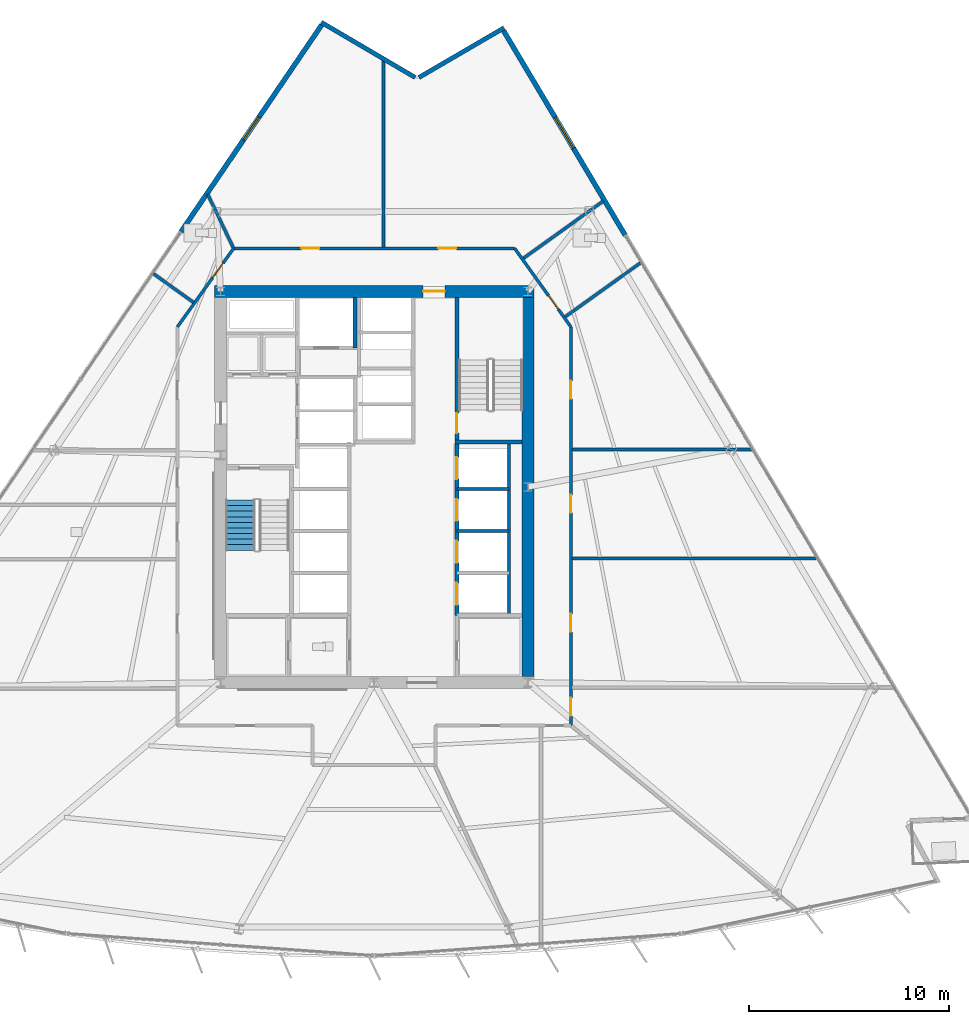
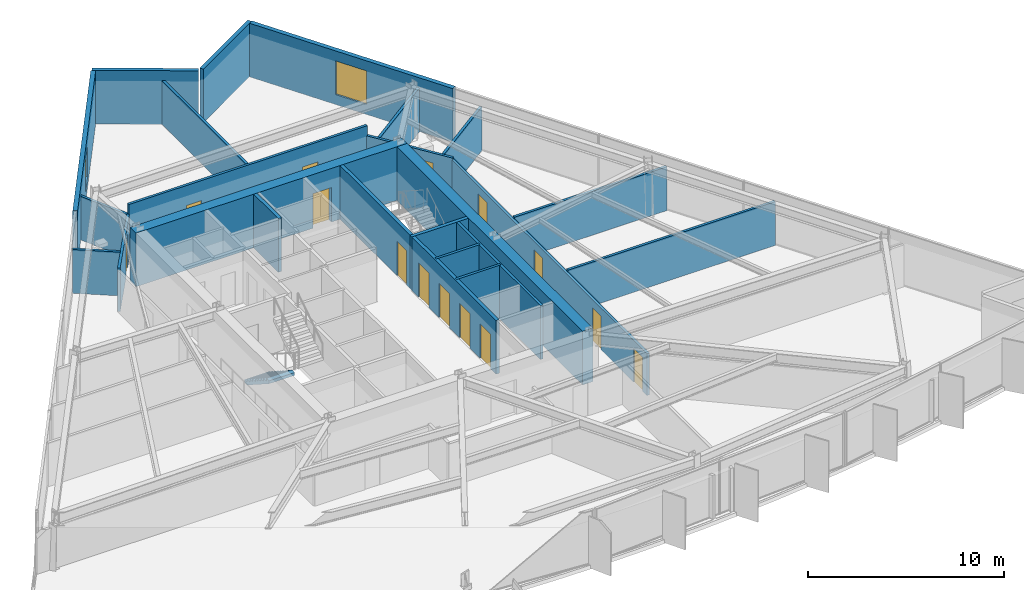
# One storey, part 10 of 16: 24 walls, 14 doors, 2 windows, 1 stair flight, 16 openings, 1 element without a shape of its own.
"""IFC4 building model written with IfcOpenShell, lengths in metres."""

from ifc_helpers import new_model, si_unit, direction, frame, frame_2d, origin, place, context, subcontext, project, spatial, polyline, rectangle, outline, extrude, material, layer, layer_set, type_object, element, fill, aggregate, save


model = new_model("IFC4")

# Units and contexts
model_context = context("Model", 3, precision=1e-05, world=origin(), true_north=direction((0.0, 1.0)))
body_context = subcontext(model_context, "Body", "Model", "MODEL_VIEW")
ifc_project = project(units=[si_unit("LENGTHUNIT", "METRE"), si_unit("AREAUNIT", "SQUARE_METRE"), si_unit("VOLUMEUNIT", "CUBIC_METRE"), si_unit("PLANEANGLEUNIT", "RADIAN"), si_unit("MASSUNIT", "GRAM", prefix="KILO")], contexts=[model_context])

# Site, building, storey
site_placement = place(None, origin())
site = spatial("IfcSite", under=ifc_project, at=site_placement, CompositionType="ELEMENT")
building_placement = place(site_placement, origin())
building = spatial("IfcBuilding", under=site, at=building_placement, Name="Savorim Split Tower", CompositionType="ELEMENT")
storey_placement = place(building_placement, frame((0.0, 0.0, 33.60009765625)))
storey = spatial("IfcBuildingStorey", under=building, at=storey_placement, Name="L08", CompositionType="ELEMENT", Elevation=33.60009765625)

# Wall, opening, door
ifc_material_1 = material(Name="Concrete C60/75", Category="concrete")
ifc_layer_1 = layer(ifc_material_1, 0.60009765625)
ifc_layer_set_1 = layer_set([ifc_layer_1], Name="WAL-COR-SH600")
wall_type_1 = type_object("IfcWallType", Name="WAL-COR-SH600", PredefinedType="SHEAR", material=ifc_layer_set_1)
wall_1_placement = place(storey_placement, frame((8.0, 10.199951171875, 0.0), z_axis=(0.0, 0.0, 1.0), x_axis=(-1.0, 0.0, 0.0)))
wall_1 = element("IfcWall", 1, at=wall_1_placement, inside=storey, type_object=wall_type_1, Name="L08 Offset Core North Shear Wall", PredefinedType="SHEAR", context=body_context, shape_type="SweptSolid", body=[
    extrude(rectangle(XDim=16.0, YDim=0.60009765625, at=frame_2d((8.0, 0.0))), origin(), (0.0, 0.0, 1.0), 3.349853515625),
])
opening_1_placement = place(wall_1_placement, frame((4.449951171875, 0.0, 0.0)))
opening_1 = element("IfcOpeningElement", 2, at=opening_1_placement, cuts=wall_1, Name="Opening DI-03", PredefinedType="OPENING", context=body_context, shape_type="SweptSolid", body=[
    extrude(rectangle(XDim=1.10009765625, YDim=2.14990234375, at=frame_2d((0.550048828125, 1.074951171875))), frame((0.0, 0.31005859375, 0.0), z_axis=(0.0, -1.0, 0.0), x_axis=(1.0, 0.0, 0.0)), (0.0, 0.0, 1.0), 0.6201171875),
])
ifc_material_2 = material(Name="Timber Fire Door Leaf", Category="wood")
door_type_1 = type_object("IfcDoorType", Name="DOR-FIR-1100", OperationType="NOTDEFINED", PredefinedType="DOOR", material=ifc_material_2)
door_1_placement = place(opening_1_placement, origin())
door_1 = element("IfcDoor", 3, at=door_1_placement, inside=storey, type_object=door_type_1, Name="DOR-L08-COR-NLOB - L08 North Corridor Lobby Fire Door", OperationType="SINGLE_SWING_LEFT", OverallHeight=2.14990234375, OverallWidth=1.10009765625, PredefinedType="DOOR", context=body_context, shape_type="SweptSolid", body=[
    extrude(rectangle(XDim=1.10009765625, YDim=2.14990234375, at=frame_2d((0.550048828125, 1.074951171875))), frame((0.0, 0.02490234375, 0.0), z_axis=(0.0, -1.0, 0.0), x_axis=(1.0, 0.0, 0.0)), (0.0, 0.0, 1.0), 0.050048828125),
])
fill(opening_1, door_1)

# Walls
wall_2_placement = place(storey_placement, frame((7.699951171875, 9.89990234375, 0.0), z_axis=(0.0, 0.0, 1.0), x_axis=(0.0, -1.0, 0.0)))
element("IfcWall", 4, at=wall_2_placement, inside=storey, type_object=wall_type_1, Name="L08 Offset Core East Shear Wall", PredefinedType="SHEAR", context=body_context, shape_type="SweptSolid", body=[
    extrude(rectangle(XDim=19.0, YDim=0.60009765625, at=frame_2d((9.5, 0.0))), origin(), (0.0, 0.0, 1.0), 3.349853515625),
])
ifc_material_3 = material(Name="Precast concrete C40/50", Category="concrete")
ifc_layer_2 = layer(ifc_material_3, 0.219970703125)
ifc_layer_set_2 = layer_set([ifc_layer_2], Name="WAL-EXT-CRN220")
wall_type_2 = type_object("IfcWallType", Name="WAL-EXT-CRN220", PredefinedType="SOLIDWALL", material=ifc_layer_set_2)
wall_3_placement = place(storey_placement, frame((2.2451171875, 20.9248046875, 0.0), z_axis=(0.0, 0.0, 1.0), x_axis=(0.863967641515, 0.503547330858, 0.0)))
element("IfcWall", 5, at=wall_3_placement, inside=storey, type_object=wall_type_2, Name="L08 Notched Corner Facade Wall NE1", PredefinedType="SOLIDWALL", context=body_context, shape_type="SweptSolid", body=[
    extrude(rectangle(XDim=4.924560546875, YDim=0.219970703125, at=frame_2d((2.46240234375, 0.0))), origin(), (0.0, 0.0, 1.0), 3.349853515625),
])
wall_4_placement = place(storey_placement, frame((-2.634765625, 23.681396484375, 0.0), z_axis=(0.0, 0.0, 1.0), x_axis=(0.862126841454, -0.506692519428, 0.0)))
element("IfcWall", 6, at=wall_4_placement, inside=storey, type_object=wall_type_2, Name="L08 Notched Corner Facade Wall N", PredefinedType="SOLIDWALL", context=body_context, shape_type="SweptSolid", body=[
    extrude(rectangle(XDim=5.439453125, YDim=0.219970703125, at=frame_2d((2.7197265625, 0.0))), origin(), (0.0, 0.0, 1.0), 3.349853515625),
])

# Wall, opening, window
ifc_layer_3 = layer(ifc_material_3, 0.25)
ifc_layer_set_3 = layer_set([ifc_layer_3], Name="WAL-EXT-SPN250")
wall_type_3 = type_object("IfcWallType", Name="WAL-EXT-SPN250", PredefinedType="SOLIDWALL", material=ifc_layer_set_3)
wall_5_placement = place(storey_placement, frame((6.483154296875, 23.278076171875, 0.0), z_axis=(0.0, 0.0, 1.0), x_axis=(0.511086421046, -0.859529330635, 0.0)))
wall_5 = element("IfcWall", 7, at=wall_5_placement, inside=storey, type_object=wall_type_3, Name="L08 East Operable Window Pier", PredefinedType="SOLIDWALL", context=body_context, shape_type="SweptSolid", body=[
    extrude(rectangle(XDim=11.93505859375, YDim=0.25, at=frame_2d((5.967529296875, 0.0))), origin(), (0.0, 0.0, 1.0), 3.349853515625),
])
opening_2_placement = place(wall_5_placement, frame((5.067626953125, 0.0, 0.6201171875)))
opening_2 = element("IfcOpeningElement", 8, at=opening_2_placement, cuts=wall_5, Name="Opening WN-04", PredefinedType="OPENING", context=body_context, shape_type="SweptSolid", body=[
    extrude(rectangle(XDim=1.800048828125, YDim=2.10009765625, at=frame_2d((0.89990234375, 1.050048828125))), frame((0.0, 0.135009765625, 0.0), z_axis=(0.0, -1.0, 0.0), x_axis=(1.0, 0.0, 0.0)), (0.0, 0.0, 1.0), 0.27001953125),
])
ifc_material_4 = material(Name="Low-E Operable Double Glazing", Category="glass")
window_type_1 = type_object("IfcWindowType", Name="WIN-TWR-1800x2100", PartitioningType="DOUBLE_PANEL_VERTICAL", PredefinedType="WINDOW", material=ifc_material_4)
window_1_placement = place(opening_2_placement, origin())
window_1 = element("IfcWindow", 9, at=window_1_placement, inside=storey, type_object=window_type_1, Name="L08 East Operable Ventilation Window", OverallHeight=2.10009765625, OverallWidth=1.800048828125, PartitioningType="SINGLE_PANEL", PredefinedType="WINDOW", context=body_context, shape_type="SweptSolid", body=[
    extrude(rectangle(XDim=1.800048828125, YDim=2.10009765625, at=frame_2d((0.89990234375, 1.050048828125))), frame((0.0, 0.030029296875, 0.0), z_axis=(0.0, -1.0, 0.0), x_axis=(1.0, 0.0, 0.0)), (0.0, 0.0, 1.0), 0.06005859375),
])
fill(opening_2, window_1)

wall_6_placement = place(storey_placement, frame((-9.68408203125, 13.19091796875, 0.0), z_axis=(0.0, 0.0, 1.0), x_axis=(0.562473549685, 0.826815279192, 0.0)))
wall_6 = element("IfcWall", 10, at=wall_6_placement, inside=storey, type_object=wall_type_3, Name="L08 West Operable Window Pier", PredefinedType="SOLIDWALL", context=body_context, shape_type="SweptSolid", body=[
    extrude(rectangle(XDim=12.53564453125, YDim=0.25, at=frame_2d((6.267822265625, 0.0))), origin(), (0.0, 0.0, 1.0), 3.349853515625),
])
opening_3_placement = place(wall_6_placement, frame((5.56787109375, 0.0, 0.6201171875)))
opening_3 = element("IfcOpeningElement", 11, at=opening_3_placement, cuts=wall_6, Name="Opening WN-07", PredefinedType="OPENING", context=body_context, shape_type="SweptSolid", body=[
    extrude(rectangle(XDim=1.39990234375, YDim=2.0, at=frame_2d((0.699951171875, 1.0))), frame((0.0, 0.135009765625, 0.0), z_axis=(0.0, -1.0, 0.0), x_axis=(1.0, 0.0, 0.0)), (0.0, 0.0, 1.0), 0.27001953125),
])
window_type_2 = type_object("IfcWindowType", Name="WIN-TWR-1400x2000", PartitioningType="SINGLE_PANEL", PredefinedType="WINDOW", material=ifc_material_4)
window_2_placement = place(opening_3_placement, origin())
window_2 = element("IfcWindow", 12, at=window_2_placement, inside=storey, type_object=window_type_2, Name="L08 West Operable Ventilation Window", OverallHeight=2.0, OverallWidth=1.39990234375, PartitioningType="SINGLE_PANEL", PredefinedType="WINDOW", context=body_context, shape_type="SweptSolid", body=[
    extrude(rectangle(XDim=1.39990234375, YDim=2.0, at=frame_2d((0.699951171875, 1.0))), frame((0.0, 0.030029296875, 0.0), z_axis=(0.0, -1.0, 0.0), x_axis=(1.0, 0.0, 0.0)), (0.0, 0.0, 1.0), 0.06005859375),
])
fill(opening_3, window_2)

# Wall, opening, door
ifc_material_5 = material(Name="Concrete C50/60", Category="concrete")
ifc_layer_4 = layer(ifc_material_5, 0.199951171875)
ifc_layer_set_4 = layer_set([ifc_layer_4], Name="WAL-INT-RC200")
wall_type_4 = type_object("IfcWallType", Name="WAL-INT-RC200", PredefinedType="SOLIDWALL", material=ifc_layer_set_4)
wall_7_placement = place(storey_placement, frame((4.14990234375, 2.75, 0.0), z_axis=(0.0, 0.0, 1.0), x_axis=(0.0, 1.0, 0.0)))
wall_7 = element("IfcWall", 13, at=wall_7_placement, inside=storey, type_object=wall_type_4, Name="L08 Structural Shaft Wall W-L08-CR07", PredefinedType="SOLIDWALL", context=body_context, shape_type="SweptSolid", body=[
    extrude(rectangle(XDim=7.14990234375, YDim=0.199951171875, at=frame_2d((3.574951171875, 0.0))), origin(), (0.0, 0.0, 1.0), 3.349853515625),
])
opening_4_placement = place(wall_7_placement, frame((0.35009765625, 0.0, 0.0)))
opening_4 = element("IfcOpeningElement", 14, at=opening_4_placement, cuts=wall_7, Name="Opening DI-04", PredefinedType="OPENING", context=body_context, shape_type="SweptSolid", body=[
    extrude(rectangle(XDim=1.0, YDim=2.14990234375, at=frame_2d((0.5, 1.074951171875))), frame((0.0, 0.10986328125, 0.0), z_axis=(0.0, -1.0, 0.0), x_axis=(1.0, 0.0, 0.0)), (0.0, 0.0, 1.0), 0.219970703125),
])
door_type_2 = type_object("IfcDoorType", Name="DOR-FIR-1000", OperationType="NOTDEFINED", PredefinedType="DOOR", material=ifc_material_2)
door_2_placement = place(opening_4_placement, origin())
door_2 = element("IfcDoor", 15, at=door_2_placement, inside=storey, type_object=door_type_2, Name="DR-L08-ST2 - L08 Stair ST-2 Enclosure Door", OperationType="SINGLE_SWING_RIGHT", OverallHeight=2.14990234375, OverallWidth=1.0, PredefinedType="DOOR", context=body_context, shape_type="SweptSolid", body=[
    extrude(rectangle(XDim=1.0, YDim=2.14990234375, at=frame_2d((0.5, 1.074951171875))), frame((0.0, 0.02490234375, 0.0), z_axis=(0.0, -1.0, 0.0), x_axis=(1.0, 0.0, 0.0)), (0.0, 0.0, 1.0), 0.050048828125),
])
fill(opening_4, door_2)

# Walls
wall_8_placement = place(storey_placement, frame((4.050048828125, 2.64990234375, 0.0), z_axis=(0.0, 0.0, 1.0), x_axis=(1.0, 0.0, 0.0)))
element("IfcWall", 16, at=wall_8_placement, inside=storey, type_object=wall_type_4, Name="L08 Structural Shaft Wall W-L08-CR08", PredefinedType="SOLIDWALL", context=body_context, shape_type="SweptSolid", body=[
    extrude(rectangle(XDim=3.349853515625, YDim=0.199951171875, at=frame_2d((1.6748046875, 0.0))), origin(), (0.0, 0.0, 1.0), 3.349853515625),
])
wall_9_placement = place(storey_placement, frame((-0.949951171875, 7.3798828125, 0.0), z_axis=(0.0, 0.0, 1.0), x_axis=(0.0, 1.0, 0.0)))
element("IfcWall", 17, at=wall_9_placement, inside=storey, type_object=wall_type_4, Name="L08 Partition W-L08-SVLE", PredefinedType="SOLIDWALL", context=body_context, shape_type="SweptSolid", body=[
    extrude(rectangle(XDim=2.51513671875, YDim=0.199951171875, at=frame_2d((1.257568359375, 0.0))), origin(), (0.0, 0.0, 1.0), 3.349853515625),
])

# Wall, openings, doors
wall_10_placement = place(storey_placement, frame((4.14990234375, -6.050048828125, 0.0), z_axis=(0.0, 0.0, 1.0), x_axis=(0.0, 1.0, 0.0)))
wall_10 = element("IfcWall", 18, at=wall_10_placement, inside=storey, type_object=wall_type_4, Name="L08 Partition W-L08-B1FRONT", PredefinedType="SOLIDWALL", context=body_context, shape_type="SweptSolid", body=[
    extrude(rectangle(XDim=8.699951171875, YDim=0.199951171875, at=frame_2d((4.35009765625, 0.0))), origin(), (0.0, 0.0, 1.0), 3.349853515625),
])
opening_5_placement = place(wall_10_placement, frame((0.550048828125, 0.0, 0.0)))
opening_5 = element("IfcOpeningElement", 19, at=opening_5_placement, cuts=wall_10, Name="Opening LD-01", PredefinedType="OPENING", context=body_context, shape_type="SweptSolid", body=[
    extrude(rectangle(XDim=1.10009765625, YDim=2.14990234375, at=frame_2d((0.550048828125, 1.074951171875))), frame((0.0, 0.10986328125, 0.0), z_axis=(0.0, -1.0, 0.0), x_axis=(1.0, 0.0, 0.0)), (0.0, 0.0, 1.0), 0.219970703125),
])
opening_6_placement = place(wall_10_placement, frame((2.64990234375, 0.0, 0.0)))
opening_6 = element("IfcOpeningElement", 20, at=opening_6_placement, cuts=wall_10, Name="Opening LD-01", PredefinedType="OPENING", context=body_context, shape_type="SweptSolid", body=[
    extrude(rectangle(XDim=1.10009765625, YDim=2.14990234375, at=frame_2d((0.550048828125, 1.074951171875))), frame((0.0, 0.10986328125, 0.0), z_axis=(0.0, -1.0, 0.0), x_axis=(1.0, 0.0, 0.0)), (0.0, 0.0, 1.0), 0.219970703125),
])
opening_7_placement = place(wall_10_placement, frame((4.75, 0.0, 0.0)))
opening_7 = element("IfcOpeningElement", 21, at=opening_7_placement, cuts=wall_10, Name="Opening LD-01", PredefinedType="OPENING", context=body_context, shape_type="SweptSolid", body=[
    extrude(rectangle(XDim=1.10009765625, YDim=2.14990234375, at=frame_2d((0.550048828125, 1.074951171875))), frame((0.0, 0.10986328125, 0.0), z_axis=(0.0, -1.0, 0.0), x_axis=(1.0, 0.0, 0.0)), (0.0, 0.0, 1.0), 0.219970703125),
])
opening_8_placement = place(wall_10_placement, frame((6.85009765625, 0.0, 0.0)))
opening_8 = element("IfcOpeningElement", 22, at=opening_8_placement, cuts=wall_10, Name="Opening LD-01", PredefinedType="OPENING", context=body_context, shape_type="SweptSolid", body=[
    extrude(rectangle(XDim=1.10009765625, YDim=2.14990234375, at=frame_2d((0.550048828125, 1.074951171875))), frame((0.0, 0.10986328125, 0.0), z_axis=(0.0, -1.0, 0.0), x_axis=(1.0, 0.0, 0.0)), (0.0, 0.0, 1.0), 0.219970703125),
])
ifc_material_6 = material(Name="Charcoal Anodised Aluminium", Category="aluminium")
door_type_3 = type_object("IfcDoorType", Name="DOR-SLD-LD1100", OperationType="NOTDEFINED", PredefinedType="DOOR", material=ifc_material_6)
door_3_placement = place(opening_5_placement, origin())
door_3 = element("IfcDoor", 23, at=door_3_placement, inside=storey, type_object=door_type_3, Name="DR-L08-LD-PLL1 - L08 Lift PL-L1 Sliding Landing Door", OperationType="DOUBLE_DOOR_SLIDING", OverallHeight=2.14990234375, OverallWidth=1.10009765625, PredefinedType="DOOR", context=body_context, shape_type="SweptSolid", body=[
    extrude(rectangle(XDim=1.10009765625, YDim=2.14990234375, at=frame_2d((0.550048828125, 1.074951171875))), frame((0.0, 0.02490234375, 0.0), z_axis=(0.0, -1.0, 0.0), x_axis=(1.0, 0.0, 0.0)), (0.0, 0.0, 1.0), 0.050048828125),
])
fill(opening_5, door_3)
door_4_placement = place(opening_6_placement, origin())
door_4 = element("IfcDoor", 24, at=door_4_placement, inside=storey, type_object=door_type_3, Name="DR-L08-LD-PLL2 - L08 Lift PL-L2 Sliding Landing Door", OperationType="DOUBLE_DOOR_SLIDING", OverallHeight=2.14990234375, OverallWidth=1.10009765625, PredefinedType="DOOR", context=body_context, shape_type="SweptSolid", body=[
    extrude(rectangle(XDim=1.10009765625, YDim=2.14990234375, at=frame_2d((0.550048828125, 1.074951171875))), frame((0.0, 0.02490234375, 0.0), z_axis=(0.0, -1.0, 0.0), x_axis=(1.0, 0.0, 0.0)), (0.0, 0.0, 1.0), 0.050048828125),
])
fill(opening_6, door_4)
door_5_placement = place(opening_7_placement, origin())
door_5 = element("IfcDoor", 25, at=door_5_placement, inside=storey, type_object=door_type_3, Name="DR-L08-LD-PLL3 - L08 Lift PL-L3 Sliding Landing Door", OperationType="DOUBLE_DOOR_SLIDING", OverallHeight=2.14990234375, OverallWidth=1.10009765625, PredefinedType="DOOR", context=body_context, shape_type="SweptSolid", body=[
    extrude(rectangle(XDim=1.10009765625, YDim=2.14990234375, at=frame_2d((0.550048828125, 1.074951171875))), frame((0.0, 0.02490234375, 0.0), z_axis=(0.0, -1.0, 0.0), x_axis=(1.0, 0.0, 0.0)), (0.0, 0.0, 1.0), 0.050048828125),
])
fill(opening_7, door_5)
door_6_placement = place(opening_8_placement, origin())
door_6 = element("IfcDoor", 26, at=door_6_placement, inside=storey, type_object=door_type_3, Name="DR-L08-LD-PLL4 - L08 Lift PL-L4 Sliding Landing Door", OperationType="DOUBLE_DOOR_SLIDING", OverallHeight=2.14990234375, OverallWidth=1.10009765625, PredefinedType="DOOR", context=body_context, shape_type="SweptSolid", body=[
    extrude(rectangle(XDim=1.10009765625, YDim=2.14990234375, at=frame_2d((0.550048828125, 1.074951171875))), frame((0.0, 0.02490234375, 0.0), z_axis=(0.0, -1.0, 0.0), x_axis=(1.0, 0.0, 0.0)), (0.0, 0.0, 1.0), 0.050048828125),
])
fill(opening_8, door_6)

# Walls
ifc_material_7 = material(Name="Acoustic Gypsum Partition Board")
ifc_layer_5 = layer(ifc_material_7, 0.14990234375)
ifc_layer_set_5 = layer_set([ifc_layer_5], Name="WAL-PAR-150")
wall_type_5 = type_object("IfcWallType", Name="WAL-PAR-150", PredefinedType="PARTITIONING", material=ifc_layer_set_5)
wall_11_placement = place(storey_placement, frame((6.75, -6.050048828125, 0.0), z_axis=(0.0, 0.0, 1.0), x_axis=(0.0, 1.0, 0.0)))
element("IfcWall", 27, at=wall_11_placement, inside=storey, type_object=wall_type_5, Name="L08 Partition W-L08-B1BACK", PredefinedType="PARTITIONING", context=body_context, shape_type="SweptSolid", body=[
    extrude(rectangle(XDim=8.699951171875, YDim=0.14990234375, at=frame_2d((4.35009765625, 0.0))), origin(), (0.0, 0.0, 1.0), 3.349853515625),
])
for number, where, z_axis, x_axis, name in (
    (28, (4.14990234375, -1.800048828125, 0.0), (0.0, 0.0, 1.0), (1.0, 0.0, 0.0), "L08 Partition W-L08-B1DIV2"),
    (29, (4.14990234375, 0.300048828125, 0.0), (0.0, 0.0, 1.0), (1.0, 0.0, 0.0), "L08 Partition W-L08-B1DIV3"),
):
    element("IfcWall", number, at=place(storey_placement, frame(where, z_axis=z_axis, x_axis=x_axis)), inside=storey, type_object=wall_type_5, Name=name, PredefinedType="PARTITIONING", context=body_context, shape_type="SweptSolid", body=[
        extrude(rectangle(XDim=2.60009765625, YDim=0.14990234375, at=frame_2d((1.300048828125, 0.0))), origin(), (0.0, 0.0, 1.0), 3.349853515625),
    ])

# Wall, opening, door
wall_12_placement = place(storey_placement, frame((-9.860107421875, 8.42578125, 0.0), z_axis=(0.0, 0.0, 1.0), x_axis=(0.582449511476, 0.812866881218, 0.0)))
wall_12 = element("IfcWall", 30, at=wall_12_placement, inside=storey, type_object=wall_type_5, Name="L08 Partition W-L08-COR-02", PredefinedType="PARTITIONING", context=body_context, shape_type="SweptSolid", body=[
    extrude(rectangle(XDim=4.840087890625, YDim=0.14990234375, at=frame_2d((2.419921875, 0.0))), origin(), (0.0, 0.0, 1.0), 2.724853515625),
])
opening_9_placement = place(wall_12_placement, frame((3.034912109375, 0.0, 0.0)))
opening_9 = element("IfcOpeningElement", 31, at=opening_9_placement, cuts=wall_12, Name="Opening DI-11", PredefinedType="OPENING", context=body_context, shape_type="SweptSolid", body=[
    extrude(rectangle(XDim=0.89990234375, YDim=2.10009765625, at=frame_2d((0.449951171875, 1.050048828125))), frame((0.0, 0.0849609375, 0.0), z_axis=(0.0, -1.0, 0.0), x_axis=(1.0, 0.0, 0.0)), (0.0, 0.0, 1.0), 0.169921875),
])
ifc_material_8 = material(Name="Oak Veneer Acoustic Door")
door_type_4 = type_object("IfcDoorType", Name="DOR-WC-900", OperationType="NOTDEFINED", PredefinedType="DOOR", material=ifc_material_8)
door_7_placement = place(opening_9_placement, origin())
door_7 = element("IfcDoor", 32, at=door_7_placement, inside=storey, type_object=door_type_4, Name="DR-L08-RM13 - L08 Shared Bathroom Entry Door", OperationType="SINGLE_SWING_RIGHT", OverallHeight=2.10009765625, OverallWidth=0.89990234375, PredefinedType="DOOR", context=body_context, shape_type="SweptSolid", body=[
    extrude(rectangle(XDim=0.89990234375, YDim=2.10009765625, at=frame_2d((0.449951171875, 1.050048828125))), frame((0.0, 0.02490234375, 0.0), z_axis=(0.0, -1.0, 0.0), x_axis=(1.0, 0.0, 0.0)), (0.0, 0.0, 1.0), 0.050048828125),
])
fill(opening_9, door_7)

# Wall, openings, doors
wall_13_placement = place(storey_placement, frame((-7.041015625, 12.360107421875, 0.0), z_axis=(0.0, 0.0, 1.0), x_axis=(1.0, 0.0, 0.0)))
wall_13 = element("IfcWall", 33, at=wall_13_placement, inside=storey, type_object=wall_type_5, Name="L08 Partition W-L08-COR-03", PredefinedType="PARTITIONING", context=body_context, shape_type="SweptSolid", body=[
    extrude(rectangle(XDim=14.08203125, YDim=0.14990234375, at=frame_2d((7.041015625, 0.0))), origin(), (0.0, 0.0, 1.0), 3.349853515625),
])
opening_10_placement = place(wall_13_placement, frame((10.257080078125, 0.0, 0.0)))
opening_10 = element("IfcOpeningElement", 34, at=opening_10_placement, cuts=wall_13, Name="Opening DI-06", PredefinedType="OPENING", context=body_context, shape_type="SweptSolid", body=[
    extrude(rectangle(XDim=0.89990234375, YDim=2.10009765625, at=frame_2d((0.449951171875, 1.050048828125))), frame((0.0, 0.0849609375, 0.0), z_axis=(0.0, -1.0, 0.0), x_axis=(1.0, 0.0, 0.0)), (0.0, 0.0, 1.0), 0.169921875),
])
opening_11_placement = place(wall_13_placement, frame((3.394287109375, 0.0, 0.0)))
opening_11 = element("IfcOpeningElement", 35, at=opening_11_placement, cuts=wall_13, Name="Opening DI-06", PredefinedType="OPENING", context=body_context, shape_type="SweptSolid", body=[
    extrude(rectangle(XDim=0.89990234375, YDim=2.10009765625, at=frame_2d((0.449951171875, 1.050048828125))), frame((0.0, 0.0849609375, 0.0), z_axis=(0.0, -1.0, 0.0), x_axis=(1.0, 0.0, 0.0)), (0.0, 0.0, 1.0), 0.169921875),
])
door_type_5 = type_object("IfcDoorType", Name="DOR-FIR-900", OperationType="NOTDEFINED", PredefinedType="DOOR", material=ifc_material_2)
door_8_placement = place(opening_10_placement, origin())
door_8 = element("IfcDoor", 36, at=door_8_placement, inside=storey, type_object=door_type_5, Name="DR-L08-RM11 - L08 Co-Working Commons Entry Door", OperationType="SINGLE_SWING_RIGHT", OverallHeight=2.10009765625, OverallWidth=0.89990234375, PredefinedType="DOOR", context=body_context, shape_type="SweptSolid", body=[
    extrude(rectangle(XDim=0.89990234375, YDim=2.10009765625, at=frame_2d((0.449951171875, 1.050048828125))), frame((0.0, 0.02490234375, 0.0), z_axis=(0.0, -1.0, 0.0), x_axis=(1.0, 0.0, 0.0)), (0.0, 0.0, 1.0), 0.050048828125),
])
fill(opening_10, door_8)
door_9_placement = place(opening_11_placement, origin())
door_9 = element("IfcDoor", 37, at=door_9_placement, inside=storey, type_object=door_type_5, Name="DR-L08-RM12 - L08 Maker Workshop Entry Door", OperationType="SINGLE_SWING_LEFT", OverallHeight=2.10009765625, OverallWidth=0.89990234375, PredefinedType="DOOR", context=body_context, shape_type="SweptSolid", body=[
    extrude(rectangle(XDim=0.89990234375, YDim=2.10009765625, at=frame_2d((0.449951171875, 1.050048828125))), frame((0.0, 0.02490234375, 0.0), z_axis=(0.0, -1.0, 0.0), x_axis=(1.0, 0.0, 0.0)), (0.0, 0.0, 1.0), 0.050048828125),
])
fill(opening_11, door_9)

# Wall, opening, door
wall_14_placement = place(storey_placement, frame((7.041015625, 12.360107421875, 0.0), z_axis=(0.0, 0.0, 1.0), x_axis=(0.582449511476, -0.812866881218, 0.0)))
wall_14 = element("IfcWall", 38, at=wall_14_placement, inside=storey, type_object=wall_type_5, Name="L08 Partition W-L08-COR-04", PredefinedType="PARTITIONING", context=body_context, shape_type="SweptSolid", body=[
    extrude(rectangle(XDim=4.840087890625, YDim=0.14990234375, at=frame_2d((2.419921875, 0.0))), origin(), (0.0, 0.0, 1.0), 2.724853515625),
])
opening_12_placement = place(wall_14_placement, frame((2.910888671875, 0.0, 0.0)))
opening_12 = element("IfcOpeningElement", 39, at=opening_12_placement, cuts=wall_14, Name="Opening DI-13", PredefinedType="OPENING", context=body_context, shape_type="SweptSolid", body=[
    extrude(rectangle(XDim=0.85009765625, YDim=2.10009765625, at=frame_2d((0.425048828125, 1.050048828125))), frame((0.0, 0.0849609375, 0.0), z_axis=(0.0, -1.0, 0.0), x_axis=(1.0, 0.0, 0.0)), (0.0, 0.0, 1.0), 0.169921875),
])
door_type_6 = type_object("IfcDoorType", Name="DOR-FIR-850", OperationType="NOTDEFINED", PredefinedType="DOOR", material=ifc_material_2)
door_10_placement = place(opening_12_placement, origin())
door_10 = element("IfcDoor", 40, at=door_10_placement, inside=storey, type_object=door_type_6, Name="DR-L08-RM10 - L08 Shared Bathroom Entry Door", OperationType="SINGLE_SWING_LEFT", OverallHeight=2.10009765625, OverallWidth=0.85009765625, PredefinedType="DOOR", context=body_context, shape_type="SweptSolid", body=[
    extrude(rectangle(XDim=0.85009765625, YDim=2.10009765625, at=frame_2d((0.425048828125, 1.050048828125))), frame((0.0, 0.02490234375, 0.0), z_axis=(0.0, -1.0, 0.0), x_axis=(1.0, 0.0, 0.0)), (0.0, 0.0, 1.0), 0.050048828125),
])
fill(opening_12, door_10)

# Wall, openings, doors
wall_15_placement = place(storey_placement, frame((9.860107421875, 8.42578125, 0.0), z_axis=(0.0, 0.0, 1.0), x_axis=(0.0, -1.0, 0.0)))
wall_15 = element("IfcWall", 41, at=wall_15_placement, inside=storey, type_object=wall_type_5, Name="L08 Partition W-L08-COR-05", PredefinedType="PARTITIONING", context=body_context, shape_type="SweptSolid", body=[
    extrude(rectangle(XDim=19.98583984375, YDim=0.14990234375, at=frame_2d((9.992919921875, 0.0))), origin(), (0.0, 0.0, 1.0), 2.60888671875),
])
opening_13_placement = place(wall_15_placement, frame((18.59228515625, 0.0, 0.0)))
opening_13 = element("IfcOpeningElement", 42, at=opening_13_placement, cuts=wall_15, Name="Opening DI-06", PredefinedType="OPENING", context=body_context, shape_type="SweptSolid", body=[
    extrude(rectangle(XDim=0.89990234375, YDim=2.10009765625, at=frame_2d((0.449951171875, 1.050048828125))), frame((0.0, 0.0849609375, 0.0), z_axis=(0.0, -1.0, 0.0), x_axis=(1.0, 0.0, 0.0)), (0.0, 0.0, 1.0), 0.169921875),
])
opening_14_placement = place(wall_15_placement, frame((14.386474609375, 0.0, 0.0)))
opening_14 = element("IfcOpeningElement", 43, at=opening_14_placement, cuts=wall_15, Name="Opening DI-06", PredefinedType="OPENING", context=body_context, shape_type="SweptSolid", body=[
    extrude(rectangle(XDim=0.89990234375, YDim=2.10009765625, at=frame_2d((0.449951171875, 1.050048828125))), frame((0.0, 0.0849609375, 0.0), z_axis=(0.0, -1.0, 0.0), x_axis=(1.0, 0.0, 0.0)), (0.0, 0.0, 1.0), 0.169921875),
])
opening_15_placement = place(wall_15_placement, frame((8.41650390625, 0.0, 0.0)))
opening_15 = element("IfcOpeningElement", 44, at=opening_15_placement, cuts=wall_15, Name="Opening DI-06", PredefinedType="OPENING", context=body_context, shape_type="SweptSolid", body=[
    extrude(rectangle(XDim=0.89990234375, YDim=2.10009765625, at=frame_2d((0.449951171875, 1.050048828125))), frame((0.0, 0.0849609375, 0.0), z_axis=(0.0, -1.0, 0.0), x_axis=(1.0, 0.0, 0.0)), (0.0, 0.0, 1.0), 0.169921875),
])
opening_16_placement = place(wall_15_placement, frame((2.7080078125, 0.0, 0.0)))
opening_16 = element("IfcOpeningElement", 45, at=opening_16_placement, cuts=wall_15, Name="Opening DI-06", PredefinedType="OPENING", context=body_context, shape_type="SweptSolid", body=[
    extrude(rectangle(XDim=0.89990234375, YDim=2.10009765625, at=frame_2d((0.449951171875, 1.050048828125))), frame((0.0, 0.0849609375, 0.0), z_axis=(0.0, -1.0, 0.0), x_axis=(1.0, 0.0, 0.0)), (0.0, 0.0, 1.0), 0.169921875),
])
door_11_placement = place(opening_13_placement, origin())
door_11 = element("IfcDoor", 46, at=door_11_placement, inside=storey, type_object=door_type_5, Name="DR-L08-RM06 - L08 Maker Workshop Entry Door", OperationType="SINGLE_SWING_LEFT", OverallHeight=2.10009765625, OverallWidth=0.89990234375, PredefinedType="DOOR", context=body_context, shape_type="SweptSolid", body=[
    extrude(rectangle(XDim=0.89990234375, YDim=2.10009765625, at=frame_2d((0.449951171875, 1.050048828125))), frame((0.0, 0.02490234375, 0.0), z_axis=(0.0, -1.0, 0.0), x_axis=(1.0, 0.0, 0.0)), (0.0, 0.0, 1.0), 0.050048828125),
])
fill(opening_13, door_11)
door_12_placement = place(opening_14_placement, origin())
door_12 = element("IfcDoor", 47, at=door_12_placement, inside=storey, type_object=door_type_5, Name="DR-L08-RM07 - L08 Co-Working Commons Entry Door", OperationType="SINGLE_SWING_RIGHT", OverallHeight=2.10009765625, OverallWidth=0.89990234375, PredefinedType="DOOR", context=body_context, shape_type="SweptSolid", body=[
    extrude(rectangle(XDim=0.89990234375, YDim=2.10009765625, at=frame_2d((0.449951171875, 1.050048828125))), frame((0.0, 0.02490234375, 0.0), z_axis=(0.0, -1.0, 0.0), x_axis=(1.0, 0.0, 0.0)), (0.0, 0.0, 1.0), 0.050048828125),
])
fill(opening_14, door_12)
door_13_placement = place(opening_15_placement, origin())
door_13 = element("IfcDoor", 48, at=door_13_placement, inside=storey, type_object=door_type_5, Name="DR-L08-RM08 - L08 Maker Workshop Entry Door", OperationType="SINGLE_SWING_LEFT", OverallHeight=2.10009765625, OverallWidth=0.89990234375, PredefinedType="DOOR", context=body_context, shape_type="SweptSolid", body=[
    extrude(rectangle(XDim=0.89990234375, YDim=2.10009765625, at=frame_2d((0.449951171875, 1.050048828125))), frame((0.0, 0.02490234375, 0.0), z_axis=(0.0, -1.0, 0.0), x_axis=(1.0, 0.0, 0.0)), (0.0, 0.0, 1.0), 0.050048828125),
])
fill(opening_15, door_13)
door_14_placement = place(opening_16_placement, origin())
door_14 = element("IfcDoor", 49, at=door_14_placement, inside=storey, type_object=door_type_5, Name="DR-L08-RM09 - L08 Co-Working Commons Entry Door", OperationType="SINGLE_SWING_RIGHT", OverallHeight=2.10009765625, OverallWidth=0.89990234375, PredefinedType="DOOR", context=body_context, shape_type="SweptSolid", body=[
    extrude(rectangle(XDim=0.89990234375, YDim=2.10009765625, at=frame_2d((0.449951171875, 1.050048828125))), frame((0.0, 0.02490234375, 0.0), z_axis=(0.0, -1.0, 0.0), x_axis=(1.0, 0.0, 0.0)), (0.0, 0.0, 1.0), 0.050048828125),
])
fill(opening_16, door_14)

# Walls
wall_16_placement = place(storey_placement, frame((9.919921875, 2.2880859375, 0.0), z_axis=(0.0, 0.0, 1.0), x_axis=(1.0, 0.0, 0.0)))
element("IfcWall", 50, at=wall_16_placement, inside=storey, type_object=wall_type_5, Name="L08 Partition W-L08-PRAD06", PredefinedType="PARTITIONING", context=body_context, shape_type="SweptSolid", body=[
    extrude(rectangle(XDim=8.986083984375, YDim=0.14990234375, at=frame_2d((4.4931640625, 0.0))), origin(), (0.0, 0.0, 1.0), 2.73486328125),
])
wall_17_placement = place(storey_placement, frame((7.47412109375, 11.85888671875, 0.0), z_axis=(0.0, 0.0, 1.0), x_axis=(0.812866530719, 0.582450000633, 0.0)))
element("IfcWall", 51, at=wall_17_placement, inside=storey, type_object=wall_type_5, Name="L08 Partition W-L08-PRAD07", PredefinedType="PARTITIONING", context=body_context, shape_type="SweptSolid", body=[
    extrude(rectangle(XDim=4.952392578125, YDim=0.14990234375, at=frame_2d((2.47607421875, 0.0))), origin(), (0.0, 0.0, 1.0), 2.724853515625),
])
wall_18_placement = place(storey_placement, frame((-7.06396484375, 12.404296875, 0.0), z_axis=(0.0, 0.0, 1.0), x_axis=(-0.431808559167, 0.901965281056, 0.0)))
element("IfcWall", 52, at=wall_18_placement, inside=storey, type_object=wall_type_5, Name="L08 Partition W-L08-PRAD08", PredefinedType="PARTITIONING", context=body_context, shape_type="SweptSolid", body=[
    extrude(rectangle(XDim=2.96044921875, YDim=0.14990234375, at=frame_2d((1.480224609375, 0.0))), origin(), (0.0, 0.0, 1.0), 2.724853515625),
])
wall_19_placement = place(storey_placement, frame((9.919921875, -3.169921875, 0.0), z_axis=(0.0, 0.0, 1.0), x_axis=(1.0, 0.0, 0.0)))
element("IfcWall", 53, at=wall_19_placement, inside=storey, type_object=wall_type_5, Name="L08 Partition W-L08-SUB03", PredefinedType="PARTITIONING", context=body_context, shape_type="SweptSolid", body=[
    extrude(rectangle(XDim=12.2314453125, YDim=0.14990234375, at=frame_2d((6.11572265625, 0.0))), origin(), (0.0, 0.0, 1.0), 2.73486328125),
])
wall_20_placement = place(storey_placement, frame((9.572509765625, 8.929931640625, 0.0), z_axis=(0.0, 0.0, 1.0), x_axis=(0.812855287807, 0.582465690907, 0.0)))
element("IfcWall", 54, at=wall_20_placement, inside=storey, type_object=wall_type_5, Name="L08 Partition W-L08-SUB04", PredefinedType="PARTITIONING", context=body_context, shape_type="SweptSolid", body=[
    extrude(rectangle(XDim=4.64453125, YDim=0.14990234375, at=frame_2d((2.322265625, 0.0))), origin(), (0.0, 0.0, 1.0), 2.73486328125),
])
wall_21_placement = place(storey_placement, frame((0.468994140625, 12.419921875, 0.0), z_axis=(0.0, 0.0, 1.0), x_axis=(0.0, 1.0, 0.0)))
element("IfcWall", 55, at=wall_21_placement, inside=storey, type_object=wall_type_5, Name="L08 Partition W-L08-SUB05", PredefinedType="PARTITIONING", context=body_context, shape_type="SweptSolid", body=[
    extrude(rectangle(XDim=9.37939453125, YDim=0.14990234375, at=frame_2d((4.689697265625, 0.0))), origin(), (0.0, 0.0, 1.0), 2.73486328125),
])
wall_22_placement = place(storey_placement, frame((-9.0537109375, 9.654052734375, 0.0), z_axis=(0.0, 0.0, 1.0), x_axis=(-0.812914965429, 0.582382399272, 0.0)))
element("IfcWall", 56, at=wall_22_placement, inside=storey, type_object=wall_type_5, Name="L08 Partition W-L08-SUB06", PredefinedType="PARTITIONING", context=body_context, shape_type="SweptSolid", body=[
    extrude(rectangle(XDim=2.461181640625, YDim=0.14990234375, at=frame_2d((1.23046875, 0.0))), origin(), (0.0, 0.0, 1.0), 2.73486328125),
])

# Stair, stair flight
stair_type = type_object("IfcStairType", Name="STR-DOG-3600", PredefinedType="HALF_TURN_STAIR", material=ifc_material_5)
stair_placement = place(storey_placement, origin())
stair = element("IfcStair", 57, at=stair_placement, inside=storey, type_object=stair_type, Name="L08 Core Protected Exit Stair ST-1", PredefinedType="HALF_TURN_STAIR")
stair_flight_type = type_object("IfcStairFlightType", Name="SFL-DOG-3600", PredefinedType="STRAIGHT", material=ifc_material_5)
stair_flight_placement = place(storey_placement, frame((-6.699951171875, -0.25, 0.0), z_axis=(0.0, 0.0, 1.0), x_axis=(0.0, -1.0, 0.0)))
stair_flight = element("IfcStairFlight", 58, at=stair_flight_placement, type_object=stair_flight_type, Name="ST-1 flight 1", NumberOfRisers=10, NumberOfTreads=9, PredefinedType="STRAIGHT", RiserHeight=0.18, TreadLength=0.28, context=body_context, shape_type="SweptSolid", body=[
    extrude(outline(polyline([(0.0, 0.0), (0.0, 0.179931640625), (0.280029296875, 0.179931640625), (0.280029296875, 0.360107421875), (0.56005859375, 0.360107421875), (0.56005859375, 0.5400390625), (0.840087890625, 0.5400390625), (0.840087890625, 0.719970703125), (1.1201171875, 0.719970703125), (1.1201171875, 0.89990234375), (1.39990234375, 0.89990234375), (1.39990234375, 1.080078125), (1.679931640625, 1.080078125), (1.679931640625, 1.260009765625), (1.9599609375, 1.260009765625), (1.9599609375, 1.43994140625), (2.239990234375, 1.43994140625), (2.239990234375, 1.6201171875), (2.52001953125, 1.6201171875), (2.52001953125, 1.800048828125), (2.52001953125, 1.44189453125), (0.277099609375, 0.0), (0.0, 0.0)])), frame((0.0, 0.75, 0.0), z_axis=(0.0, -1.0, 0.0), x_axis=(1.0, 0.0, 0.0)), (0.0, 0.0, 1.0), 1.5),
])
aggregate(stair, [stair_flight])

save(model, "model.ifc")
